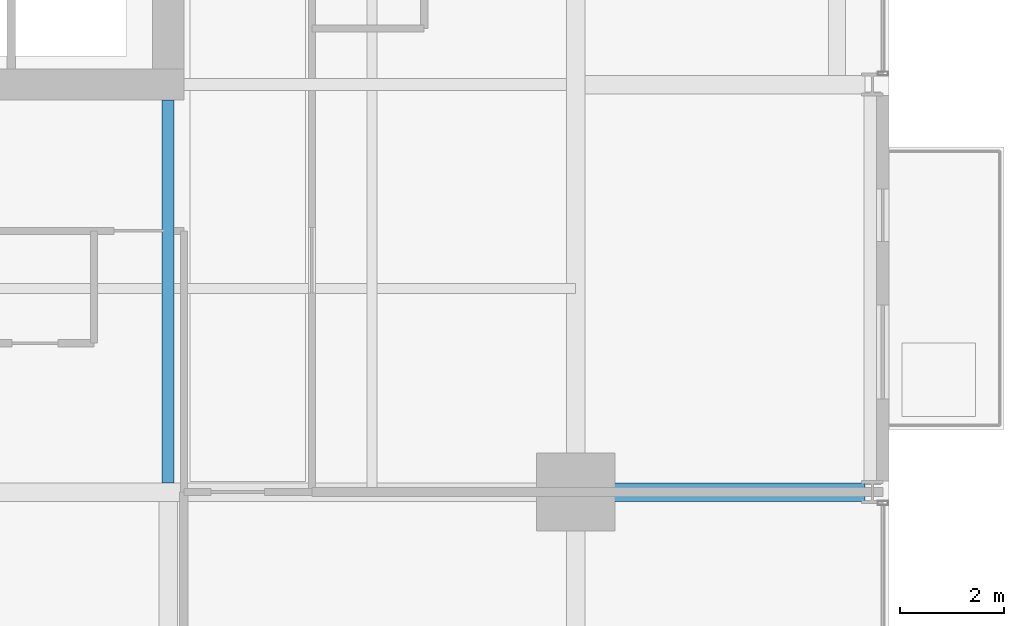
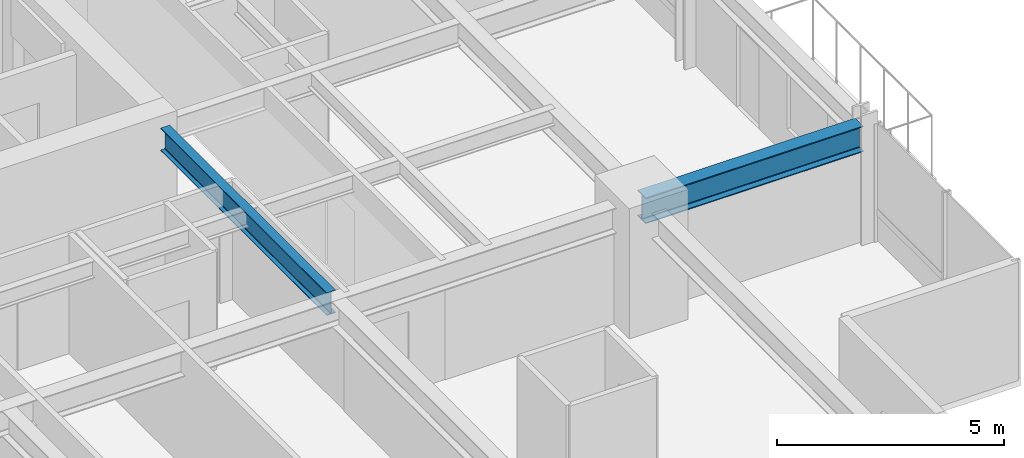
# One storey, part 12 of 35: 2 beams.
"""IFC4 building model written with IfcOpenShell, lengths in metres."""

from ifc_helpers import new_model, si_unit, direction, frame, origin, origin_2d, place, context, subcontext, project, spatial, i_section, extrude, material, material_profile, profile_set, type_object, element, save


model = new_model("IFC4")

# Units and contexts
model_context = context("Model", 3, precision=1e-05, world=origin(), true_north=direction((0.0, 1.0)))
body_context = subcontext(model_context, "Body", "Model", "MODEL_VIEW")
ifc_project = project(units=[si_unit("LENGTHUNIT", "METRE"), si_unit("AREAUNIT", "SQUARE_METRE"), si_unit("VOLUMEUNIT", "CUBIC_METRE"), si_unit("PLANEANGLEUNIT", "RADIAN"), si_unit("MASSUNIT", "GRAM", prefix="KILO")], contexts=[model_context])

# Site, building, storey
site_placement = place(None, origin())
site = spatial("IfcSite", under=ifc_project, at=site_placement, CompositionType="ELEMENT")
building_placement = place(site_placement, origin())
building = spatial("IfcBuilding", under=site, at=building_placement, Name="Drelvath Grand Hotel", CompositionType="ELEMENT")
storey_placement = place(building_placement, frame((0.0, 0.0, 137.300048828125)))
storey = spatial("IfcBuildingStorey", under=building, at=storey_placement, Name="L35", CompositionType="ELEMENT", Elevation=137.300048828125)

# Beams
ifc_material = material(Name="Steel ASTM A992 Gr 50", Category="steel")
ifc_material_profile_1 = material_profile(ifc_material, i_section(OverallWidth=0.228271484375, OverallDepth=0.607666015625, WebThickness=0.01123046875, FlangeThickness=0.017333984375, FilletRadius=0.02001953125, at=origin_2d()), Name="W24X76")
ifc_profile_set_1 = profile_set([ifc_material_profile_1], Name="Steel ASTM A992 Gr 50")
beam_type_1 = type_object("IfcBeamType", Name="Primary Floor Girder W24X76", PredefinedType="BEAM", material=ifc_profile_set_1)
beam_1_placement = place(storey_placement, frame((8.39990234375, 10.977294921875, 2.876220703125), z_axis=(0.0, 1.0, 0.0), x_axis=(-1.0, 0.0, 0.0)))
element("IfcBeam", 1, at=beam_1_placement, inside=storey, type_object=beam_type_1, Name="L35 South Core Tie 6", PredefinedType="BEAM", context=body_context, shape_type="SweptSolid", body=[
    extrude(i_section(OverallWidth=0.228271484375, OverallDepth=0.607666015625, WebThickness=0.01123046875, FlangeThickness=0.017333984375, FilletRadius=0.02001953125, at=origin_2d()), origin(), (0.0, 0.0, 1.0), 7.32275390625),
])
ifc_material_profile_2 = material_profile(ifc_material, i_section(OverallWidth=0.354736328125, OverallDepth=0.695556640625, WebThickness=0.015380859375, FlangeThickness=0.025146484375, FilletRadius=0.02392578125, at=origin_2d()), Name="W27X146")
ifc_profile_set_2 = profile_set([ifc_material_profile_2], Name="Steel ASTM A992 Gr 50")
beam_type_2 = type_object("IfcBeamType", Name="Primary Floor Girder W27X146", PredefinedType="BEAM", material=ifc_profile_set_2)
beam_2_placement = place(storey_placement, frame((16.199951171875, 10.800048828125, 2.83203125), z_axis=(1.0, 0.0, 0.0), x_axis=(0.0, 1.0, 0.0)))
element("IfcBeam", 2, at=beam_2_placement, inside=storey, type_object=beam_type_2, Name="L35 East Grid Girder C", PredefinedType="BEAM", context=body_context, shape_type="SweptSolid", body=[
    extrude(i_section(OverallWidth=0.354736328125, OverallDepth=0.695556640625, WebThickness=0.015380859375, FlangeThickness=0.025146484375, FilletRadius=0.02392578125, at=origin_2d()), origin(), (0.0, 0.0, 1.0), 5.5400390625),
])

save(model, "model.ifc")
